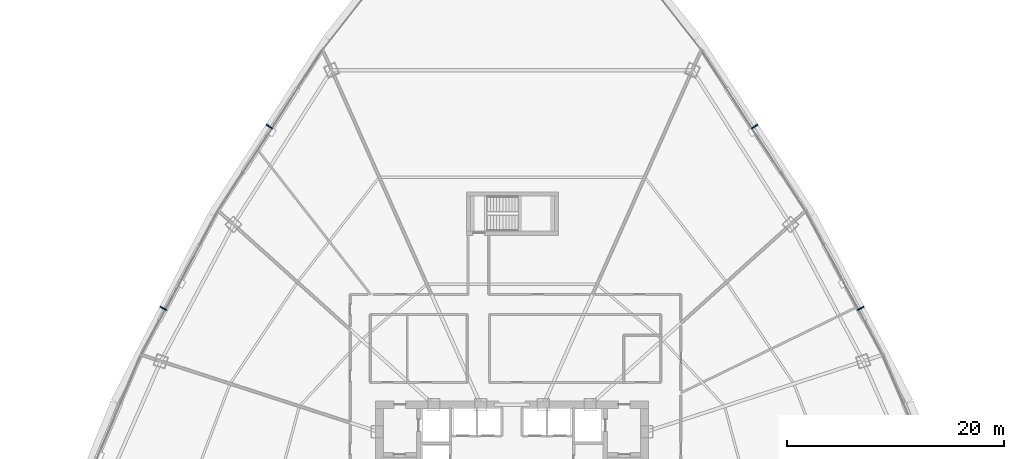
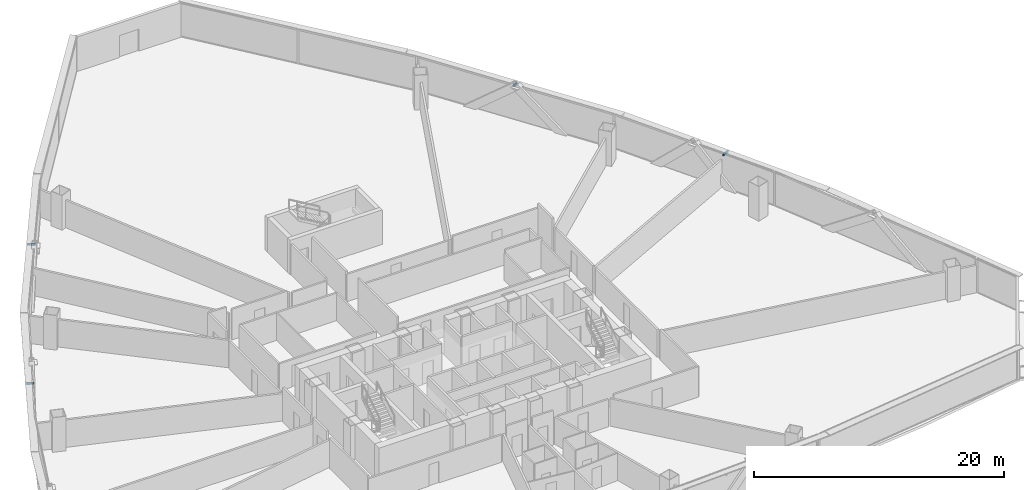
# One storey, part 34 of 38: 4 discrete accessories.
"""IFC4 building model written with IfcOpenShell, lengths in metres."""

from ifc_helpers import new_model, si_unit, direction, frame, origin, origin_2d, place, context, subcontext, project, spatial, rectangle, extrude, source, transform, mapped, material, type_object, element, save


model = new_model("IFC4")

# Units and contexts
model_context = context("Model", 3, precision=1e-05, world=origin(), true_north=direction((0.0, 1.0)))
body_context = subcontext(model_context, "Body", "Model", "MODEL_VIEW")
ifc_project = project(units=[si_unit("LENGTHUNIT", "METRE"), si_unit("AREAUNIT", "SQUARE_METRE"), si_unit("VOLUMEUNIT", "CUBIC_METRE"), si_unit("PLANEANGLEUNIT", "RADIAN"), si_unit("MASSUNIT", "GRAM", prefix="KILO"), si_unit("THERMODYNAMICTEMPERATUREUNIT", "KELVIN"), si_unit("POWERUNIT", "WATT")], contexts=[model_context])

# Site, building, storey
site_placement = place(None, origin())
site = spatial("IfcSite", under=ifc_project, at=site_placement, CompositionType="ELEMENT")
building_placement = place(site_placement, origin())
building = spatial("IfcBuilding", under=site, at=building_placement, Name="Yunzhuo Pagoda Commons", CompositionType="ELEMENT")
storey_placement = place(building_placement, frame((0.0, 0.0, 37.659912109375)))
storey = spatial("IfcBuildingStorey", under=building, at=storey_placement, Name="L09", CompositionType="ELEMENT", Elevation=37.659912109375)

# Discrete accessories
ifc_material = material(Name="Anodized aluminium 6063-T6", Category="aluminium")
discrete_accessory_type = type_object("IfcDiscreteAccessoryType", Name="BK-SUN1 Sunshade Outrigger Bracket", PredefinedType="BRACKET", material=ifc_material)
shared_shape = source(origin(), body_context, "Body", "SweptSolid", [
    extrude(rectangle(XDim=0.1201171875, YDim=0.679931640625, at=origin_2d()), origin(), (0.0, 0.0, 1.0), 0.179931640625),
])
for number, where, z_axis, x_axis, name in (
    (1, (80.11572265625, 49.073974609375, 3.16015625), (0.0, 0.0, 1.0), (-0.461206683033, 0.88729273384, 0.0), "L09 sunshade outrigger bracket F2.2"),
    (2, (70.344482421875, 65.81298828125, 3.16015625), (0.0, 0.0, 1.0), (-0.545838756973, 0.837890238269, 0.0), "L09 sunshade outrigger bracket F2.3"),
    (3, (25.655517578125, 65.81298828125, 3.16015625), (0.0, 0.0, 1.0), (-0.545838756973, -0.837890238269, 0.0), "L09 sunshade outrigger bracket F3.2"),
    (4, (15.88427734375, 49.073974609375, 3.16015625), (0.0, 0.0, 1.0), (-0.461206683033, -0.88729273384, 0.0), "L09 sunshade outrigger bracket F3.3"),
):
    element("IfcDiscreteAccessory", number, at=place(storey_placement, frame(where, z_axis=z_axis, x_axis=x_axis)), inside=storey, type_object=discrete_accessory_type, Name=name, PredefinedType="BRACKET", context=body_context, shape_type="MappedRepresentation", body=[
        mapped(shared_shape, transform((0.0, 0.0, 0.0), scale=1.0)),
    ])

save(model, "model.ifc")
